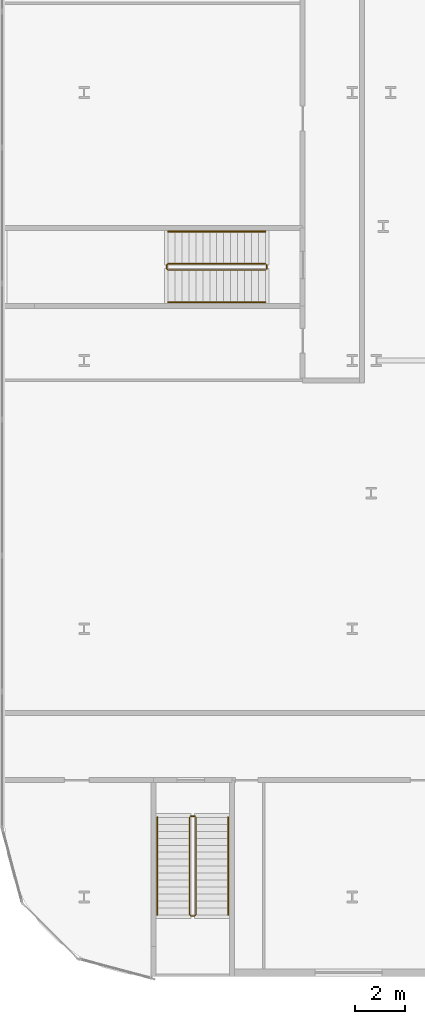
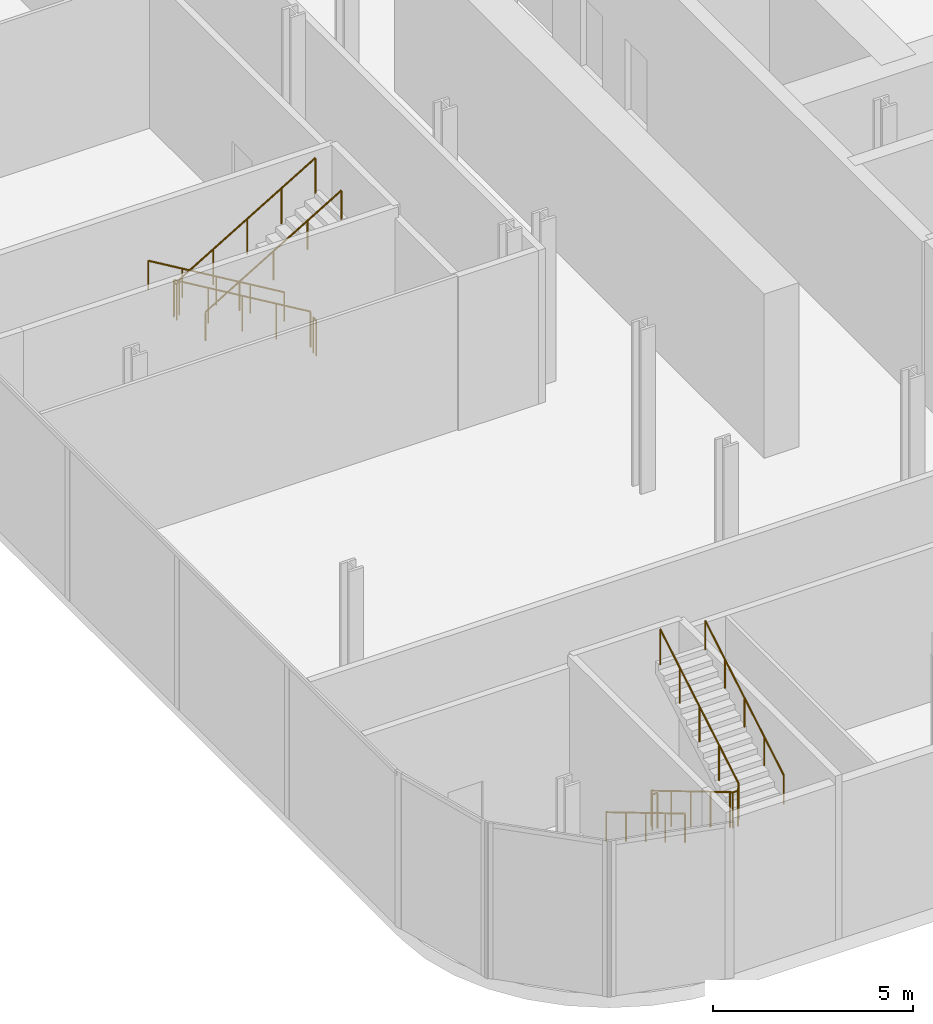
# One storey, part 38 of 47: 8 railings.
"""IFC4 building model written with IfcOpenShell, lengths in metres."""

from ifc_helpers import new_model, si_unit, direction, frame, origin, origin_2d, place, context, subcontext, project, spatial, circle, extrude, material, type_object, element, save


model = new_model("IFC4")

# Units and contexts
model_context = context("Model", 3, precision=1e-05, world=origin(), true_north=direction((0.0, 1.0)))
body_context = subcontext(model_context, "Body", "Model", "MODEL_VIEW")
ifc_project = project(units=[si_unit("LENGTHUNIT", "METRE"), si_unit("AREAUNIT", "SQUARE_METRE"), si_unit("VOLUMEUNIT", "CUBIC_METRE"), si_unit("PLANEANGLEUNIT", "RADIAN"), si_unit("MASSUNIT", "GRAM", prefix="KILO")], contexts=[model_context])

# Site, building, storey
site_placement = place(None, origin())
site = spatial("IfcSite", under=ifc_project, at=site_placement, CompositionType="ELEMENT")
building_placement = place(site_placement, origin())
building = spatial("IfcBuilding", under=site, at=building_placement, Name="Kheshtan School and Residences Tower", CompositionType="ELEMENT")
storey_placement = place(building_placement, frame((0.0, 0.0, 7.5)))
storey = spatial("IfcBuildingStorey", under=building, at=storey_placement, Name="L01", CompositionType="ELEMENT", Elevation=7.5)

# Railings
ifc_material_1 = material(Name="Stainless steel balustrade", Category="steel")
railing_type_1 = type_object("IfcRailingType", Name="Stair guard 1100", PredefinedType="GUARDRAIL", material=ifc_material_1)
railing_1_placement = place(storey_placement, frame((22.5, 38.699951171875, 0.166748046875)))
element("IfcRailing", 1, at=railing_1_placement, inside=storey, type_object=railing_type_1, Name="L01 PS-012-037 stair guard 1", PredefinedType="GUARDRAIL", context=body_context, shape_type="SweptSolid", body=[
    extrude(circle(Radius=0.02392578125, at=origin_2d()), frame((0.0, 0.0, 1.076171875), z_axis=(-0.859296244711, 0.0, 0.511478214419), x_axis=(0.0, -1.0, 0.0)), (0.0, 0.0, 1.0), 4.561767578125),
    extrude(circle(Radius=0.02392578125, at=origin_2d()), frame((-3.919921875, 0.0, 3.4091796875), z_axis=(-0.707106781187, -0.707106781187, 0.0), x_axis=(0.707106781187, -0.707106781187, 0.0)), (0.0, 0.0, 1.0), 0.07080078125),
    extrude(circle(Radius=0.02392578125, at=origin_2d()), frame((-3.969970703125, -0.050048828125, 3.4091796875), z_axis=(0.0, -1.0, 0.0), x_axis=(1.0, 0.0, 0.0)), (0.0, 0.0, 1.0), 0.14990234375),
    extrude(circle(Radius=0.02392578125, at=origin_2d()), frame((-3.969970703125, -0.199951171875, 3.4091796875), z_axis=(0.27628659633, -0.27628659633, 0.920506074601), x_axis=(0.707106781187, 0.707106781187, 0.0)), (0.0, 0.0, 1.0), 0.18115234375),
    extrude(circle(Radius=0.02392578125, at=origin_2d()), frame((-3.919921875, -0.25, 3.576171875), z_axis=(0.859296244711, 0.0, 0.511478214419), x_axis=(0.0, 1.0, 0.0)), (0.0, 0.0, 1.0), 4.561767578125),
    extrude(circle(Radius=0.02099609375, at=origin_2d()), origin(), (0.0, 0.0, 1.0), 1.052001953125),
    extrude(circle(Radius=0.02099609375, at=origin_2d()), frame((-0.97998046875, 0.0, 0.583251953125)), (0.0, 0.0, 1.0), 1.052001953125),
    extrude(circle(Radius=0.02099609375, at=origin_2d()), frame((-1.9599609375, 0.0, 1.16650390625)), (0.0, 0.0, 1.0), 1.052001953125),
    extrude(circle(Radius=0.02099609375, at=origin_2d()), frame((-2.93994140625, 0.0, 1.75)), (0.0, 0.0, 1.0), 1.052001953125),
    extrude(circle(Radius=0.02099609375, at=origin_2d()), frame((-3.919921875, 0.0, 2.333251953125)), (0.0, 0.0, 1.0), 1.052001953125),
    extrude(circle(Radius=0.02099609375, at=origin_2d()), frame((-3.969970703125, -0.050048828125, 2.333251953125)), (0.0, 0.0, 1.0), 1.052001953125),
    extrude(circle(Radius=0.02099609375, at=origin_2d()), frame((-3.969970703125, -0.199951171875, 2.333251953125)), (0.0, 0.0, 1.0), 1.052001953125),
    extrude(circle(Radius=0.02099609375, at=origin_2d()), frame((-3.919921875, -0.25, 2.5)), (0.0, 0.0, 1.0), 1.052001953125),
    extrude(circle(Radius=0.02099609375, at=origin_2d()), frame((-2.93994140625, -0.25, 3.083251953125)), (0.0, 0.0, 1.0), 1.052001953125),
    extrude(circle(Radius=0.02099609375, at=origin_2d()), frame((-1.9599609375, -0.25, 3.66650390625)), (0.0, 0.0, 1.0), 1.052001953125),
    extrude(circle(Radius=0.02099609375, at=origin_2d()), frame((-0.97998046875, -0.25, 4.25)), (0.0, 0.0, 1.0), 1.052001953125),
    extrude(circle(Radius=0.02099609375, at=origin_2d()), frame((0.0, -0.25, 4.833251953125)), (0.0, 0.0, 1.0), 1.052001953125),
])
railing_2_placement = place(storey_placement, frame((22.550048828125, 38.64990234375, 0.0)))
element("IfcRailing", 2, at=railing_2_placement, inside=storey, type_object=railing_type_1, Name="L01 PS-012-037 stair guard 2", PredefinedType="GUARDRAIL", context=body_context, shape_type="SweptSolid", body=[
    extrude(circle(Radius=0.02392578125, at=origin_2d()), frame((0.0, 0.0, 1.076171875), z_axis=(0.0, -1.0, 0.0), x_axis=(1.0, 0.0, 0.0)), (0.0, 0.0, 1.0), 0.14990234375),
    extrude(circle(Radius=0.02099609375, at=origin_2d()), origin(), (0.0, 0.0, 1.0), 1.052001953125),
    extrude(circle(Radius=0.02099609375, at=origin_2d()), frame((0.0, -0.14990234375, 0.0)), (0.0, 0.0, 1.0), 1.052001953125),
])
railing_3_placement = place(storey_placement, frame((19.449951171875, 16.39990234375, 0.166748046875)))
element("IfcRailing", 3, at=railing_3_placement, inside=storey, type_object=railing_type_1, Name="L01 PS-018-010 stair guard 1", PredefinedType="GUARDRAIL", context=body_context, shape_type="SweptSolid", body=[
    extrude(circle(Radius=0.02392578125, at=origin_2d()), frame((0.0, 0.0, 1.076171875), z_axis=(0.0, -0.859296244711, 0.511478214419), x_axis=(1.0, 0.0, 0.0)), (0.0, 0.0, 1.0), 4.561767578125),
    extrude(circle(Radius=0.02392578125, at=origin_2d()), frame((0.0, -3.919921875, 3.4091796875), z_axis=(0.707106781187, -0.707106781187, 0.0), x_axis=(0.707106781187, 0.707106781187, 0.0)), (0.0, 0.0, 1.0), 0.07080078125),
    extrude(circle(Radius=0.02392578125, at=origin_2d()), frame((0.050048828125, -3.969970703125, 3.4091796875), z_axis=(1.0, 0.0, 0.0), x_axis=(0.0, 1.0, 0.0)), (0.0, 0.0, 1.0), 0.14990234375),
    extrude(circle(Radius=0.02392578125, at=origin_2d()), frame((0.199951171875, -3.969970703125, 3.4091796875), z_axis=(0.27628659633, 0.27628659633, 0.920506074601), x_axis=(-0.707106781187, 0.707106781187, 0.0)), (0.0, 0.0, 1.0), 0.18115234375),
    extrude(circle(Radius=0.02392578125, at=origin_2d()), frame((0.25, -3.919921875, 3.576171875), z_axis=(0.0, 0.859296244711, 0.511478214419), x_axis=(-1.0, 0.0, 0.0)), (0.0, 0.0, 1.0), 4.561767578125),
    extrude(circle(Radius=0.02099609375, at=origin_2d()), origin(), (0.0, 0.0, 1.0), 1.052001953125),
    extrude(circle(Radius=0.02099609375, at=origin_2d()), frame((0.0, -0.97998046875, 0.583251953125)), (0.0, 0.0, 1.0), 1.052001953125),
    extrude(circle(Radius=0.02099609375, at=origin_2d()), frame((0.0, -1.9599609375, 1.16650390625)), (0.0, 0.0, 1.0), 1.052001953125),
    extrude(circle(Radius=0.02099609375, at=origin_2d()), frame((0.0, -2.93994140625, 1.75)), (0.0, 0.0, 1.0), 1.052001953125),
    extrude(circle(Radius=0.02099609375, at=origin_2d()), frame((0.0, -3.919921875, 2.333251953125)), (0.0, 0.0, 1.0), 1.052001953125),
    extrude(circle(Radius=0.02099609375, at=origin_2d()), frame((0.050048828125, -3.969970703125, 2.333251953125)), (0.0, 0.0, 1.0), 1.052001953125),
    extrude(circle(Radius=0.02099609375, at=origin_2d()), frame((0.199951171875, -3.969970703125, 2.333251953125)), (0.0, 0.0, 1.0), 1.052001953125),
    extrude(circle(Radius=0.02099609375, at=origin_2d()), frame((0.25, -3.919921875, 2.5)), (0.0, 0.0, 1.0), 1.052001953125),
    extrude(circle(Radius=0.02099609375, at=origin_2d()), frame((0.25, -2.93994140625, 3.083251953125)), (0.0, 0.0, 1.0), 1.052001953125),
    extrude(circle(Radius=0.02099609375, at=origin_2d()), frame((0.25, -1.9599609375, 3.66650390625)), (0.0, 0.0, 1.0), 1.052001953125),
    extrude(circle(Radius=0.02099609375, at=origin_2d()), frame((0.25, -0.97998046875, 4.25)), (0.0, 0.0, 1.0), 1.052001953125),
    extrude(circle(Radius=0.02099609375, at=origin_2d()), frame((0.25, 0.0, 4.833251953125)), (0.0, 0.0, 1.0), 1.052001953125),
])
railing_4_placement = place(storey_placement, frame((19.5, 16.449951171875, 0.0)))
element("IfcRailing", 4, at=railing_4_placement, inside=storey, type_object=railing_type_1, Name="L01 PS-018-010 stair guard 2", PredefinedType="GUARDRAIL", context=body_context, shape_type="SweptSolid", body=[
    extrude(circle(Radius=0.02392578125, at=origin_2d()), frame((0.0, 0.0, 1.076171875), z_axis=(1.0, 0.0, 0.0), x_axis=(0.0, 1.0, 0.0)), (0.0, 0.0, 1.0), 0.14990234375),
    extrude(circle(Radius=0.02099609375, at=origin_2d()), origin(), (0.0, 0.0, 1.0), 1.052001953125),
    extrude(circle(Radius=0.02099609375, at=origin_2d()), frame((0.14990234375, 0.0, 0.0)), (0.0, 0.0, 1.0), 1.052001953125),
])
ifc_material_2 = material(Name="Stainless steel handrail", Category="steel")
railing_type_2 = type_object("IfcRailingType", Name="Stair handrail 900", PredefinedType="HANDRAIL", material=ifc_material_2)
railing_5_placement = place(storey_placement, frame((22.5, 40.0, 0.166748046875)))
element("IfcRailing", 5, at=railing_5_placement, inside=storey, type_object=railing_type_2, Name="L01 PS-012-037 stair handrail 1", PredefinedType="HANDRAIL", context=body_context, shape_type="SweptSolid", body=[
    extrude(circle(Radius=0.02392578125, at=origin_2d()), frame((0.0, 0.0, 0.8759765625), z_axis=(-0.859296244711, 0.0, 0.511478214419), x_axis=(0.0, -1.0, 0.0)), (0.0, 0.0, 1.0), 4.561767578125),
    extrude(circle(Radius=0.02099609375, at=origin_2d()), origin(), (0.0, 0.0, 1.0), 0.851806640625),
    extrude(circle(Radius=0.02099609375, at=origin_2d()), frame((-0.97998046875, 0.0, 0.583251953125)), (0.0, 0.0, 1.0), 0.851806640625),
    extrude(circle(Radius=0.02099609375, at=origin_2d()), frame((-1.9599609375, 0.0, 1.16650390625)), (0.0, 0.0, 1.0), 0.851806640625),
    extrude(circle(Radius=0.02099609375, at=origin_2d()), frame((-2.93994140625, 0.0, 1.75)), (0.0, 0.0, 1.0), 0.851806640625),
    extrude(circle(Radius=0.02099609375, at=origin_2d()), frame((-3.919921875, 0.0, 2.333251953125)), (0.0, 0.0, 1.0), 0.851806640625),
])
railing_6_placement = place(storey_placement, frame((18.580078125, 37.14990234375, 2.666748046875)))
element("IfcRailing", 6, at=railing_6_placement, inside=storey, type_object=railing_type_2, Name="L01 PS-012-037 stair handrail 2", PredefinedType="HANDRAIL", context=body_context, shape_type="SweptSolid", body=[
    extrude(circle(Radius=0.02392578125, at=origin_2d()), frame((0.0, 0.0, 0.8759765625), z_axis=(0.859296244711, 0.0, 0.511478214419), x_axis=(0.0, 1.0, 0.0)), (0.0, 0.0, 1.0), 4.561767578125),
    extrude(circle(Radius=0.02099609375, at=origin_2d()), origin(), (0.0, 0.0, 1.0), 0.851806640625),
    extrude(circle(Radius=0.02099609375, at=origin_2d()), frame((0.97998046875, 0.0, 0.583251953125)), (0.0, 0.0, 1.0), 0.851806640625),
    extrude(circle(Radius=0.02099609375, at=origin_2d()), frame((1.9599609375, 0.0, 1.16650390625)), (0.0, 0.0, 1.0), 0.851806640625),
    extrude(circle(Radius=0.02099609375, at=origin_2d()), frame((2.93994140625, 0.0, 1.75)), (0.0, 0.0, 1.0), 0.851806640625),
    extrude(circle(Radius=0.02099609375, at=origin_2d()), frame((3.919921875, 0.0, 2.333251953125)), (0.0, 0.0, 1.0), 0.851806640625),
])
railing_7_placement = place(storey_placement, frame((18.14990234375, 16.39990234375, 0.166748046875)))
element("IfcRailing", 7, at=railing_7_placement, inside=storey, type_object=railing_type_2, Name="L01 PS-018-010 stair handrail 1", PredefinedType="HANDRAIL", context=body_context, shape_type="SweptSolid", body=[
    extrude(circle(Radius=0.02392578125, at=origin_2d()), frame((0.0, 0.0, 0.8759765625), z_axis=(0.0, -0.859296244711, 0.511478214419), x_axis=(1.0, 0.0, 0.0)), (0.0, 0.0, 1.0), 4.561767578125),
    extrude(circle(Radius=0.02099609375, at=origin_2d()), origin(), (0.0, 0.0, 1.0), 0.851806640625),
    extrude(circle(Radius=0.02099609375, at=origin_2d()), frame((0.0, -0.97998046875, 0.583251953125)), (0.0, 0.0, 1.0), 0.851806640625),
    extrude(circle(Radius=0.02099609375, at=origin_2d()), frame((0.0, -1.9599609375, 1.16650390625)), (0.0, 0.0, 1.0), 0.851806640625),
    extrude(circle(Radius=0.02099609375, at=origin_2d()), frame((0.0, -2.93994140625, 1.75)), (0.0, 0.0, 1.0), 0.851806640625),
    extrude(circle(Radius=0.02099609375, at=origin_2d()), frame((0.0, -3.919921875, 2.333251953125)), (0.0, 0.0, 1.0), 0.851806640625),
])
railing_8_placement = place(storey_placement, frame((21.0, 12.47998046875, 2.666748046875)))
element("IfcRailing", 8, at=railing_8_placement, inside=storey, type_object=railing_type_2, Name="L01 PS-018-010 stair handrail 2", PredefinedType="HANDRAIL", context=body_context, shape_type="SweptSolid", body=[
    extrude(circle(Radius=0.02392578125, at=origin_2d()), frame((0.0, 0.0, 0.8759765625), z_axis=(0.0, 0.859296244711, 0.511478214419), x_axis=(-1.0, 0.0, 0.0)), (0.0, 0.0, 1.0), 4.561767578125),
    extrude(circle(Radius=0.02099609375, at=origin_2d()), origin(), (0.0, 0.0, 1.0), 0.851806640625),
    extrude(circle(Radius=0.02099609375, at=origin_2d()), frame((0.0, 0.97998046875, 0.583251953125)), (0.0, 0.0, 1.0), 0.851806640625),
    extrude(circle(Radius=0.02099609375, at=origin_2d()), frame((0.0, 1.9599609375, 1.16650390625)), (0.0, 0.0, 1.0), 0.851806640625),
    extrude(circle(Radius=0.02099609375, at=origin_2d()), frame((0.0, 2.93994140625, 1.75)), (0.0, 0.0, 1.0), 0.851806640625),
    extrude(circle(Radius=0.02099609375, at=origin_2d()), frame((0.0, 3.919921875, 2.333251953125)), (0.0, 0.0, 1.0), 0.851806640625),
])

save(model, "model.ifc")
